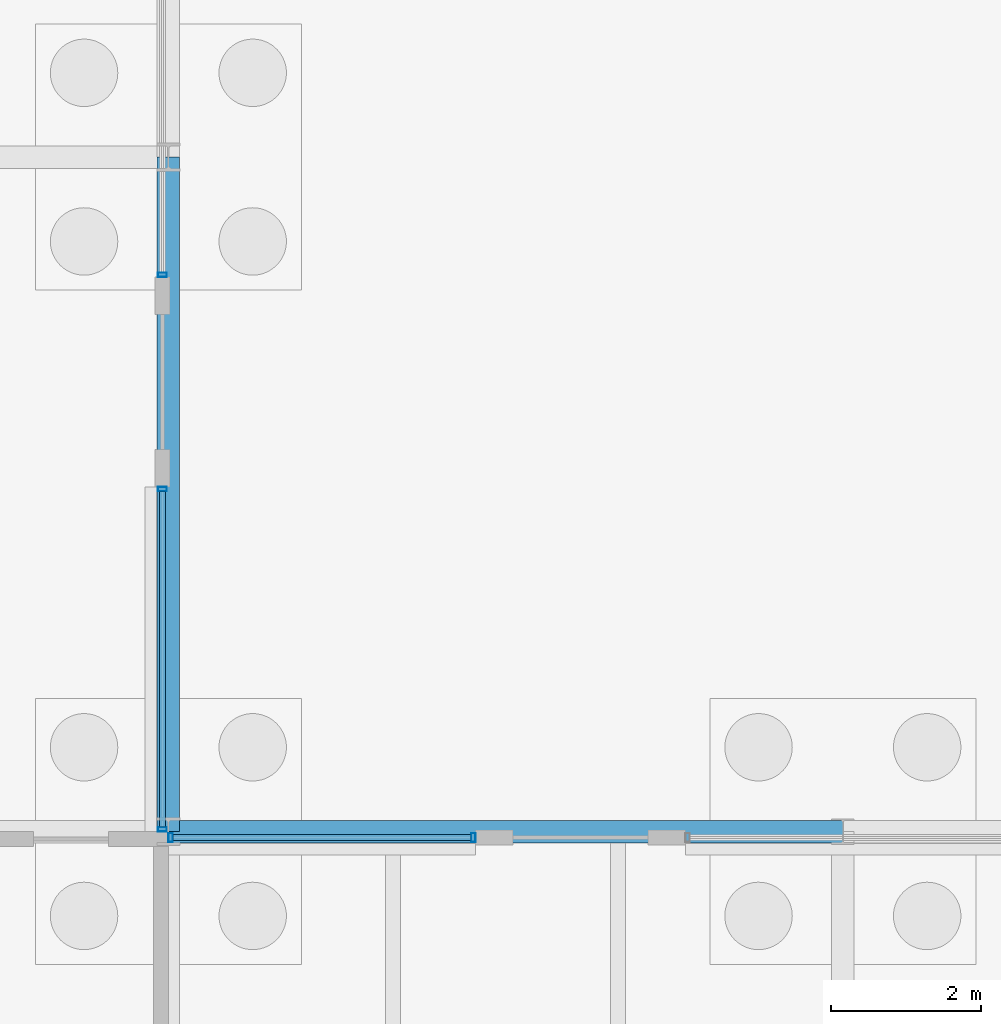
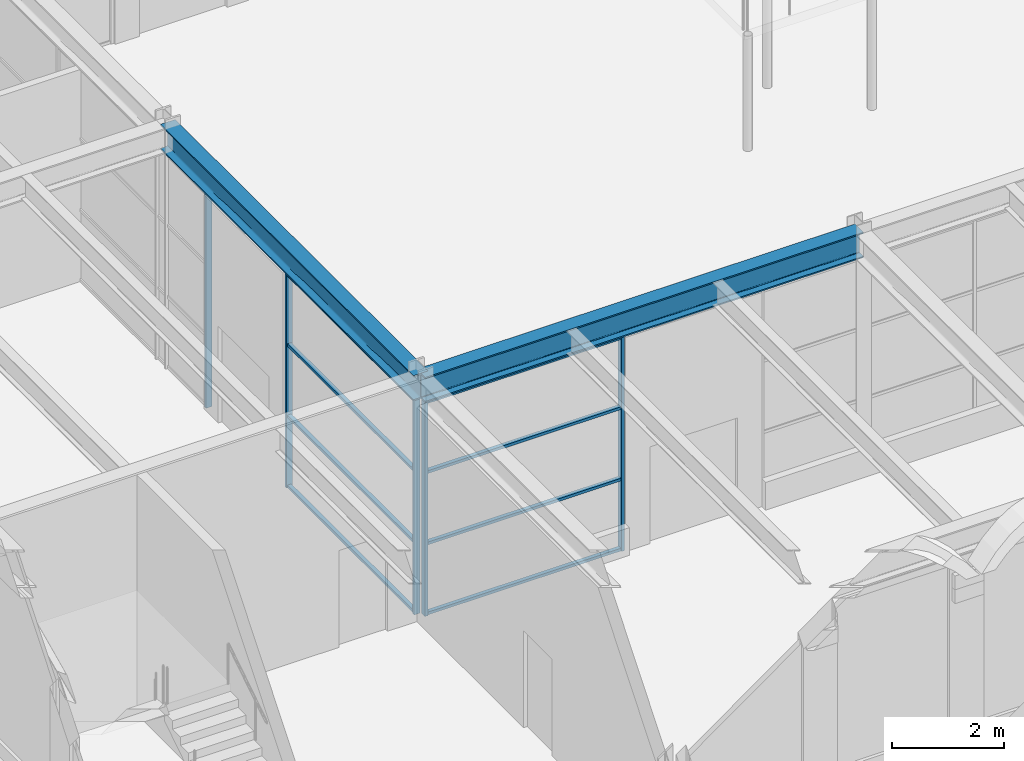
# One storey, part 34 of 126: 13 members, 2 beams, 3 elements without a shape of their own.
"""IFC4 building model written with IfcOpenShell, lengths in metres."""

from ifc_helpers import new_model, si_unit, direction, frame, origin, origin_2d, place, context, subcontext, project, spatial, hollow_rectangle, i_section, extrude, material, material_profile, profile_set, type_object, element, aggregate, save


model = new_model("IFC4")

# Units and contexts
model_context = context("Model", 3, precision=1e-05, world=origin(), true_north=direction((0.0, 1.0)))
body_context = subcontext(model_context, "Body", "Model", "MODEL_VIEW")
ifc_project = project(units=[si_unit("LENGTHUNIT", "METRE"), si_unit("AREAUNIT", "SQUARE_METRE"), si_unit("VOLUMEUNIT", "CUBIC_METRE"), si_unit("PLANEANGLEUNIT", "RADIAN"), si_unit("MASSUNIT", "GRAM", prefix="KILO")], contexts=[model_context])

# Site, building, storey
site_placement = place(None, origin())
site = spatial("IfcSite", under=ifc_project, at=site_placement, CompositionType="ELEMENT")
building_placement = place(site_placement, origin())
building = spatial("IfcBuilding", under=site, at=building_placement, Name="Kallimachos Central Library", CompositionType="ELEMENT")
storey_placement = place(building_placement, origin())
storey = spatial("IfcBuildingStorey", under=building, at=storey_placement, Name="L00", CompositionType="ELEMENT", Elevation=0.0)

# Curtain wall, members
ifc_material_1 = material(Name="Aluminium and laminated glass", Category="aluminium")
curtain_wall_type = type_object("IfcCurtainWallType", Name="Atrium glazed screen", PredefinedType="NOTDEFINED", material=ifc_material_1)
curtain_wall_1_placement = place(storey_placement, origin())
curtain_wall_1 = element("IfcCurtainWall", 1, at=curtain_wall_1_placement, inside=storey, type_object=curtain_wall_type, Name="L00 atrium screen S", PredefinedType="NOTDEFINED")
ifc_material_2 = material(Name="Anodised aluminium", Category="aluminium")
ifc_material_profile_1 = material_profile(ifc_material_2, hollow_rectangle(XDim=0.06005859375, YDim=0.1201171875, WallThickness=0.00390625, at=origin_2d()), Name="ALU MULLION 60x120")
ifc_profile_set_1 = profile_set([ifc_material_profile_1], Name="Anodised aluminium")
member_type_1 = type_object("IfcMemberType", Name="Atrium screen mullion", PredefinedType="MULLION", material=ifc_profile_set_1)
member_1_placement = place(storey_placement, frame((74.530029296875, 56.919921875, 0.0), z_axis=(0.0, 0.0, 1.0), x_axis=(1.0, 0.0, 0.0)))
member_1 = element("IfcMember", 2, at=member_1_placement, type_object=member_type_1, Name="CW mullion 1", PredefinedType="MULLION", context=body_context, shape_type="SweptSolid", body=[
    extrude(hollow_rectangle(XDim=0.06005859375, YDim=0.1201171875, WallThickness=0.00390625, at=origin_2d()), origin(), (0.0, 0.0, 1.0), 4.64990234375),
])
member_2_placement = place(storey_placement, frame((78.570068359375, 56.919921875, 0.0), z_axis=(0.0, 0.0, 1.0), x_axis=(1.0, 0.0, 0.0)))
member_2 = element("IfcMember", 3, at=member_2_placement, type_object=member_type_1, Name="CW mullion 2", PredefinedType="MULLION", context=body_context, shape_type="SweptSolid", body=[
    extrude(hollow_rectangle(XDim=0.06005859375, YDim=0.1201171875, WallThickness=0.00390625, at=origin_2d()), origin(), (0.0, 0.0, 1.0), 4.64990234375),
])

curtain_wall_2_placement = place(storey_placement, origin())
curtain_wall_2 = element("IfcCurtainWall", 4, at=curtain_wall_2_placement, inside=storey, type_object=curtain_wall_type, Name="L00 atrium screen W", PredefinedType="NOTDEFINED")
member_3_placement = place(storey_placement, frame((74.419921875, 57.030029296875, 0.0), z_axis=(0.0, 0.0, 1.0), x_axis=(0.0, 1.0, 0.0)))
member_3 = element("IfcMember", 5, at=member_3_placement, type_object=member_type_1, Name="CW mullion 1", PredefinedType="MULLION", context=body_context, shape_type="SweptSolid", body=[
    extrude(hollow_rectangle(XDim=0.06005859375, YDim=0.1201171875, WallThickness=0.00390625, at=origin_2d()), origin(), (0.0, 0.0, 1.0), 4.64990234375),
])
member_4_placement = place(storey_placement, frame((74.419921875, 61.570068359375, 0.0), z_axis=(0.0, 0.0, 1.0), x_axis=(0.0, 1.0, 0.0)))
member_4 = element("IfcMember", 6, at=member_4_placement, type_object=member_type_1, Name="CW mullion 2", PredefinedType="MULLION", context=body_context, shape_type="SweptSolid", body=[
    extrude(hollow_rectangle(XDim=0.06005859375, YDim=0.1201171875, WallThickness=0.00390625, at=origin_2d()), origin(), (0.0, 0.0, 1.0), 4.64990234375),
])

# Curtain wall, member
curtain_wall_3_placement = place(storey_placement, origin())
curtain_wall_3 = element("IfcCurtainWall", 7, at=curtain_wall_3_placement, inside=storey, type_object=curtain_wall_type, Name="L00 atrium screen W", PredefinedType="NOTDEFINED")
member_5_placement = place(storey_placement, frame((74.419921875, 64.429931640625, 0.0), z_axis=(0.0, 0.0, 1.0), x_axis=(0.0, 1.0, 0.0)))
member_5 = element("IfcMember", 8, at=member_5_placement, type_object=member_type_1, Name="CW mullion 1", PredefinedType="MULLION", context=body_context, shape_type="SweptSolid", body=[
    extrude(hollow_rectangle(XDim=0.06005859375, YDim=0.1201171875, WallThickness=0.00390625, at=origin_2d()), origin(), (0.0, 0.0, 1.0), 4.64990234375),
])
aggregate(curtain_wall_3, [member_5])

# Member
ifc_material_3 = material(Name="Anodised aluminium", Category="aluminium")
ifc_material_profile_2 = material_profile(ifc_material_3, hollow_rectangle(XDim=0.06005859375, YDim=0.080078125, WallThickness=0.00390625, at=origin_2d()), Name="ALU TRANSOM 60x80")
ifc_profile_set_2 = profile_set([ifc_material_profile_2], Name="Anodised aluminium")
member_type_2 = type_object("IfcMemberType", Name="Atrium screen transom", PredefinedType="USERDEFINED", material=ifc_profile_set_2)
member_6_placement = place(storey_placement, frame((74.56005859375, 56.919921875, 0.030029296875), z_axis=(1.0, 0.0, 0.0), x_axis=(0.0, 0.0, 1.0)))
member_6 = element("IfcMember", 9, at=member_6_placement, type_object=member_type_2, Name="CW transom 1.1", ObjectType="TRANSOM", PredefinedType="USERDEFINED", context=body_context, shape_type="SweptSolid", body=[
    extrude(hollow_rectangle(XDim=0.06005859375, YDim=0.080078125, WallThickness=0.00390625, at=origin_2d()), origin(), (0.0, 0.0, 1.0), 3.97998046875),
])

member_7_placement = place(storey_placement, frame((74.56005859375, 56.919921875, 1.550048828125), z_axis=(1.0, 0.0, 0.0), x_axis=(0.0, 0.0, 1.0)))
member_7 = element("IfcMember", 10, at=member_7_placement, type_object=member_type_2, Name="CW transom 1.2", ObjectType="TRANSOM", PredefinedType="USERDEFINED", context=body_context, shape_type="SweptSolid", body=[
    extrude(hollow_rectangle(XDim=0.06005859375, YDim=0.080078125, WallThickness=0.00390625, at=origin_2d()), origin(), (0.0, 0.0, 1.0), 3.97998046875),
])

member_8_placement = place(storey_placement, frame((74.56005859375, 56.919921875, 3.10009765625), z_axis=(1.0, 0.0, 0.0), x_axis=(0.0, 0.0, 1.0)))
member_8 = element("IfcMember", 11, at=member_8_placement, type_object=member_type_2, Name="CW transom 1.3", ObjectType="TRANSOM", PredefinedType="USERDEFINED", context=body_context, shape_type="SweptSolid", body=[
    extrude(hollow_rectangle(XDim=0.06005859375, YDim=0.080078125, WallThickness=0.00390625, at=origin_2d()), origin(), (0.0, 0.0, 1.0), 3.97998046875),
])

member_9_placement = place(storey_placement, frame((74.56005859375, 56.919921875, 4.6201171875), z_axis=(1.0, 0.0, 0.0), x_axis=(0.0, 0.0, 1.0)))
member_9 = element("IfcMember", 12, at=member_9_placement, type_object=member_type_2, Name="CW transom 1.4", ObjectType="TRANSOM", PredefinedType="USERDEFINED", context=body_context, shape_type="SweptSolid", body=[
    extrude(hollow_rectangle(XDim=0.06005859375, YDim=0.080078125, WallThickness=0.00390625, at=origin_2d()), origin(), (0.0, 0.0, 1.0), 3.97998046875),
])

aggregate(curtain_wall_1, [member_1, member_2, member_6, member_7, member_8, member_9])

member_10_placement = place(storey_placement, frame((74.419921875, 57.06005859375, 0.030029296875), z_axis=(0.0, 1.0, 0.0), x_axis=(0.0, 0.0, 1.0)))
member_10 = element("IfcMember", 13, at=member_10_placement, type_object=member_type_2, Name="CW transom 1.1", ObjectType="TRANSOM", PredefinedType="USERDEFINED", context=body_context, shape_type="SweptSolid", body=[
    extrude(hollow_rectangle(XDim=0.06005859375, YDim=0.080078125, WallThickness=0.00390625, at=origin_2d()), origin(), (0.0, 0.0, 1.0), 4.47998046875),
])

member_11_placement = place(storey_placement, frame((74.419921875, 57.06005859375, 1.550048828125), z_axis=(0.0, 1.0, 0.0), x_axis=(0.0, 0.0, 1.0)))
member_11 = element("IfcMember", 14, at=member_11_placement, type_object=member_type_2, Name="CW transom 1.2", ObjectType="TRANSOM", PredefinedType="USERDEFINED", context=body_context, shape_type="SweptSolid", body=[
    extrude(hollow_rectangle(XDim=0.06005859375, YDim=0.080078125, WallThickness=0.00390625, at=origin_2d()), origin(), (0.0, 0.0, 1.0), 4.47998046875),
])

member_12_placement = place(storey_placement, frame((74.419921875, 57.06005859375, 3.10009765625), z_axis=(0.0, 1.0, 0.0), x_axis=(0.0, 0.0, 1.0)))
member_12 = element("IfcMember", 15, at=member_12_placement, type_object=member_type_2, Name="CW transom 1.3", ObjectType="TRANSOM", PredefinedType="USERDEFINED", context=body_context, shape_type="SweptSolid", body=[
    extrude(hollow_rectangle(XDim=0.06005859375, YDim=0.080078125, WallThickness=0.00390625, at=origin_2d()), origin(), (0.0, 0.0, 1.0), 4.47998046875),
])

member_13_placement = place(storey_placement, frame((74.419921875, 57.06005859375, 4.6201171875), z_axis=(0.0, 1.0, 0.0), x_axis=(0.0, 0.0, 1.0)))
member_13 = element("IfcMember", 16, at=member_13_placement, type_object=member_type_2, Name="CW transom 1.4", ObjectType="TRANSOM", PredefinedType="USERDEFINED", context=body_context, shape_type="SweptSolid", body=[
    extrude(hollow_rectangle(XDim=0.06005859375, YDim=0.080078125, WallThickness=0.00390625, at=origin_2d()), origin(), (0.0, 0.0, 1.0), 4.47998046875),
])

aggregate(curtain_wall_2, [member_3, member_4, member_10, member_11, member_12, member_13])

# Beams
ifc_material_4 = material(Name="Steel S355J2", Category="steel")
ifc_material_profile_3 = material_profile(ifc_material_4, i_section(OverallWidth=0.300048828125, OverallDepth=0.550048828125, WebThickness=0.014892578125, FlangeThickness=0.029052734375, FilletRadius=0.027099609375, at=origin_2d()), Name="HEB 550")
ifc_profile_set_3 = profile_set([ifc_material_profile_3], Name="Steel S355J2")
beam_type = type_object("IfcBeamType", Name="HEB 550 beam", PredefinedType="BEAM", material=ifc_profile_set_3)
for number, where, z_axis, x_axis, name in (
    (17, (74.5, 57.0, 4.925048828125), (0.0, 1.0, 0.0), (-1.0, 0.0, 0.0), "V4-BEM-L00-025"),
    (18, (74.5, 57.0, 4.925048828125), (1.0, 0.0, 0.0), (0.0, 1.0, 0.0), "V4-BEM-L00-046"),
):
    element("IfcBeam", number, at=place(storey_placement, frame(where, z_axis=z_axis, x_axis=x_axis)), inside=storey, type_object=beam_type, Name=name, PredefinedType="BEAM", context=body_context, shape_type="SweptSolid", body=[
        extrude(i_section(OverallWidth=0.300048828125, OverallDepth=0.550048828125, WebThickness=0.014892578125, FlangeThickness=0.029052734375, FilletRadius=0.027099609375, at=origin_2d()), origin(), (0.0, 0.0, 1.0), 9.0),
    ])

save(model, "model.ifc")
